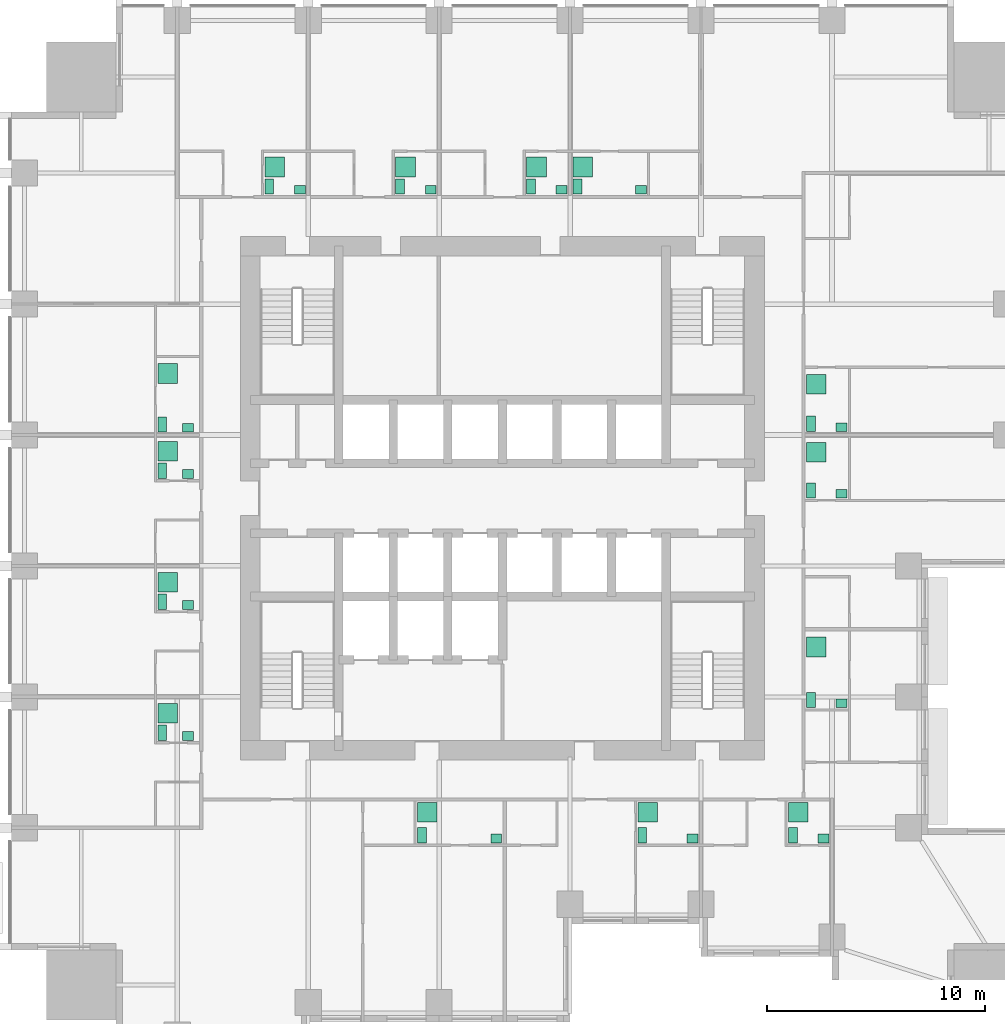
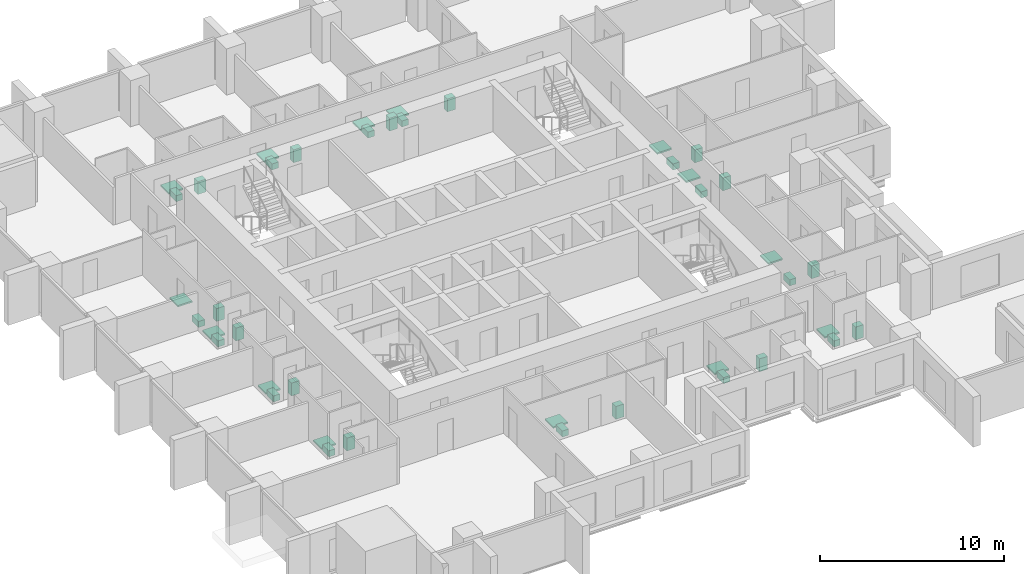
# One storey, part 10 of 10: 42 sanitary terminals.
"""IFC4 building model written with IfcOpenShell, lengths in metres."""

from ifc_helpers import new_model, si_unit, direction, frame, origin, origin_2d, place, context, subcontext, project, spatial, rectangle, extrude, element, save


model = new_model("IFC4")

# Units and contexts
model_context = context("Model", 3, precision=1e-05, world=origin(), true_north=direction((0.0, 1.0)))
body_context = subcontext(model_context, "Body", "Model", "MODEL_VIEW")
ifc_project = project(units=[si_unit("LENGTHUNIT", "METRE"), si_unit("AREAUNIT", "SQUARE_METRE"), si_unit("VOLUMEUNIT", "CUBIC_METRE"), si_unit("PLANEANGLEUNIT", "RADIAN"), si_unit("MASSUNIT", "GRAM", prefix="KILO")], contexts=[model_context])

# Site, building, storey
site_placement = place(None, origin())
site = spatial("IfcSite", under=ifc_project, at=site_placement, CompositionType="ELEMENT")
building_placement = place(site_placement, origin())
building = spatial("IfcBuilding", under=site, at=building_placement, Name="Amberfall Residences", CompositionType="ELEMENT")
storey_placement = place(building_placement, frame((0.0, 0.0, 26.800048828125)))
storey = spatial("IfcBuildingStorey", under=building, at=storey_placement, Name="L06", CompositionType="ELEMENT", Elevation=26.800048828125)

# Sanitary terminals
sanitary_terminal_1_placement = place(storey_placement, frame((70.81005859375, 30.06005859375, 0.0), z_axis=(0.0, 0.0, 1.0), x_axis=(1.0, 0.0, 0.0)))
element("IfcSanitaryTerminal", 1, at=sanitary_terminal_1_placement, inside=storey, Name="Water closet 0601", PredefinedType="TOILETPAN", context=body_context, shape_type="SweptSolid", body=[
    extrude(rectangle(XDim=0.39990234375, YDim=0.699951171875, at=origin_2d()), origin(), (0.0, 0.0, 1.0), 0.39990234375),
])
sanitary_terminal_2_placement = place(storey_placement, frame((74.215087890625, 29.909912109375, 0.0), z_axis=(0.0, 0.0, 1.0), x_axis=(1.0, 0.0, 0.0)))
element("IfcSanitaryTerminal", 2, at=sanitary_terminal_2_placement, inside=storey, Name="Basin 0601", PredefinedType="WASHHANDBASIN", context=body_context, shape_type="SweptSolid", body=[
    extrude(rectangle(XDim=0.5, YDim=0.39990234375, at=origin_2d()), origin(), (0.0, 0.0, 1.0), 0.85009765625),
])
sanitary_terminal_3_placement = place(storey_placement, frame((71.06005859375, 31.114990234375, 0.0), z_axis=(0.0, 0.0, 1.0), x_axis=(1.0, 0.0, 0.0)))
element("IfcSanitaryTerminal", 3, at=sanitary_terminal_3_placement, inside=storey, Name="Shower tray 0601", PredefinedType="SHOWER", context=body_context, shape_type="SweptSolid", body=[
    extrude(rectangle(XDim=0.89990234375, YDim=0.89990234375, at=origin_2d()), origin(), (0.0, 0.0, 1.0), 0.10009765625),
])
sanitary_terminal_4_placement = place(storey_placement, frame((80.909912109375, 30.06005859375, 0.0), z_axis=(0.0, 0.0, 1.0), x_axis=(1.0, 0.0, 0.0)))
element("IfcSanitaryTerminal", 4, at=sanitary_terminal_4_placement, inside=storey, Name="Water closet 0602", PredefinedType="TOILETPAN", context=body_context, shape_type="SweptSolid", body=[
    extrude(rectangle(XDim=0.39990234375, YDim=0.699951171875, at=origin_2d()), origin(), (0.0, 0.0, 1.0), 0.39990234375),
])
sanitary_terminal_5_placement = place(storey_placement, frame((83.215087890625, 29.909912109375, 0.0), z_axis=(0.0, 0.0, 1.0), x_axis=(1.0, 0.0, 0.0)))
element("IfcSanitaryTerminal", 5, at=sanitary_terminal_5_placement, inside=storey, Name="Basin 0602", PredefinedType="WASHHANDBASIN", context=body_context, shape_type="SweptSolid", body=[
    extrude(rectangle(XDim=0.5, YDim=0.39990234375, at=origin_2d()), origin(), (0.0, 0.0, 1.0), 0.85009765625),
])
sanitary_terminal_6_placement = place(storey_placement, frame((81.159912109375, 31.114990234375, 0.0), z_axis=(0.0, 0.0, 1.0), x_axis=(1.0, 0.0, 0.0)))
element("IfcSanitaryTerminal", 6, at=sanitary_terminal_6_placement, inside=storey, Name="Shower tray 0602", PredefinedType="SHOWER", context=body_context, shape_type="SweptSolid", body=[
    extrude(rectangle(XDim=0.89990234375, YDim=0.89990234375, at=origin_2d()), origin(), (0.0, 0.0, 1.0), 0.10009765625),
])
sanitary_terminal_7_placement = place(storey_placement, frame((87.81005859375, 30.06005859375, 0.0), z_axis=(0.0, 0.0, 1.0), x_axis=(1.0, 0.0, 0.0)))
element("IfcSanitaryTerminal", 7, at=sanitary_terminal_7_placement, inside=storey, Name="Water closet 0603", PredefinedType="TOILETPAN", context=body_context, shape_type="SweptSolid", body=[
    extrude(rectangle(XDim=0.39990234375, YDim=0.699951171875, at=origin_2d()), origin(), (0.0, 0.0, 1.0), 0.39990234375),
])
sanitary_terminal_8_placement = place(storey_placement, frame((89.215087890625, 29.909912109375, 0.0), z_axis=(0.0, 0.0, 1.0), x_axis=(1.0, 0.0, 0.0)))
element("IfcSanitaryTerminal", 8, at=sanitary_terminal_8_placement, inside=storey, Name="Basin 0603", PredefinedType="WASHHANDBASIN", context=body_context, shape_type="SweptSolid", body=[
    extrude(rectangle(XDim=0.5, YDim=0.39990234375, at=origin_2d()), origin(), (0.0, 0.0, 1.0), 0.85009765625),
])
sanitary_terminal_9_placement = place(storey_placement, frame((88.06005859375, 31.114990234375, 0.0), z_axis=(0.0, 0.0, 1.0), x_axis=(1.0, 0.0, 0.0)))
element("IfcSanitaryTerminal", 9, at=sanitary_terminal_9_placement, inside=storey, Name="Shower tray 0603", PredefinedType="SHOWER", context=body_context, shape_type="SweptSolid", body=[
    extrude(rectangle(XDim=0.89990234375, YDim=0.89990234375, at=origin_2d()), origin(), (0.0, 0.0, 1.0), 0.10009765625),
])
sanitary_terminal_10_placement = place(storey_placement, frame((88.635009765625, 36.260009765625, 0.0), z_axis=(0.0, 0.0, 1.0), x_axis=(1.0, 0.0, 0.0)))
element("IfcSanitaryTerminal", 10, at=sanitary_terminal_10_placement, inside=storey, Name="Water closet 0604", PredefinedType="TOILETPAN", context=body_context, shape_type="SweptSolid", body=[
    extrude(rectangle(XDim=0.39990234375, YDim=0.699951171875, at=origin_2d()), origin(), (0.0, 0.0, 1.0), 0.39990234375),
])
sanitary_terminal_11_placement = place(storey_placement, frame((90.0400390625, 36.110107421875, 0.0), z_axis=(0.0, 0.0, 1.0), x_axis=(1.0, 0.0, 0.0)))
element("IfcSanitaryTerminal", 11, at=sanitary_terminal_11_placement, inside=storey, Name="Basin 0604", PredefinedType="WASHHANDBASIN", context=body_context, shape_type="SweptSolid", body=[
    extrude(rectangle(XDim=0.5, YDim=0.39990234375, at=origin_2d()), origin(), (0.0, 0.0, 1.0), 0.85009765625),
])
sanitary_terminal_12_placement = place(storey_placement, frame((88.885009765625, 38.6826171875, 0.0), z_axis=(0.0, 0.0, 1.0), x_axis=(1.0, 0.0, 0.0)))
element("IfcSanitaryTerminal", 12, at=sanitary_terminal_12_placement, inside=storey, Name="Shower tray 0604", PredefinedType="SHOWER", context=body_context, shape_type="SweptSolid", body=[
    extrude(rectangle(XDim=0.89990234375, YDim=0.89990234375, at=origin_2d()), origin(), (0.0, 0.0, 1.0), 0.10009765625),
])
sanitary_terminal_13_placement = place(storey_placement, frame((88.635009765625, 45.860107421875, 0.0), z_axis=(0.0, 0.0, 1.0), x_axis=(1.0, 0.0, 0.0)))
element("IfcSanitaryTerminal", 13, at=sanitary_terminal_13_placement, inside=storey, Name="Water closet 0605", PredefinedType="TOILETPAN", context=body_context, shape_type="SweptSolid", body=[
    extrude(rectangle(XDim=0.39990234375, YDim=0.699951171875, at=origin_2d()), origin(), (0.0, 0.0, 1.0), 0.39990234375),
])
sanitary_terminal_14_placement = place(storey_placement, frame((90.0400390625, 45.7099609375, 0.0), z_axis=(0.0, 0.0, 1.0), x_axis=(1.0, 0.0, 0.0)))
element("IfcSanitaryTerminal", 14, at=sanitary_terminal_14_placement, inside=storey, Name="Basin 0605", PredefinedType="WASHHANDBASIN", context=body_context, shape_type="SweptSolid", body=[
    extrude(rectangle(XDim=0.5, YDim=0.39990234375, at=origin_2d()), origin(), (0.0, 0.0, 1.0), 0.85009765625),
])
sanitary_terminal_15_placement = place(storey_placement, frame((88.885009765625, 47.60888671875, 0.0), z_axis=(0.0, 0.0, 1.0), x_axis=(1.0, 0.0, 0.0)))
element("IfcSanitaryTerminal", 15, at=sanitary_terminal_15_placement, inside=storey, Name="Shower tray 0605", PredefinedType="SHOWER", context=body_context, shape_type="SweptSolid", body=[
    extrude(rectangle(XDim=0.89990234375, YDim=0.89990234375, at=origin_2d()), origin(), (0.0, 0.0, 1.0), 0.10009765625),
])
sanitary_terminal_16_placement = place(storey_placement, frame((88.635009765625, 48.909912109375, 0.0), z_axis=(0.0, 0.0, 1.0), x_axis=(1.0, 0.0, 0.0)))
element("IfcSanitaryTerminal", 16, at=sanitary_terminal_16_placement, inside=storey, Name="Water closet 0606", PredefinedType="TOILETPAN", context=body_context, shape_type="SweptSolid", body=[
    extrude(rectangle(XDim=0.39990234375, YDim=0.699951171875, at=origin_2d()), origin(), (0.0, 0.0, 1.0), 0.39990234375),
])
sanitary_terminal_17_placement = place(storey_placement, frame((90.0400390625, 48.760009765625, 0.0), z_axis=(0.0, 0.0, 1.0), x_axis=(1.0, 0.0, 0.0)))
element("IfcSanitaryTerminal", 17, at=sanitary_terminal_17_placement, inside=storey, Name="Basin 0606", PredefinedType="WASHHANDBASIN", context=body_context, shape_type="SweptSolid", body=[
    extrude(rectangle(XDim=0.5, YDim=0.39990234375, at=origin_2d()), origin(), (0.0, 0.0, 1.0), 0.85009765625),
])
sanitary_terminal_18_placement = place(storey_placement, frame((88.885009765625, 50.7255859375, 0.0), z_axis=(0.0, 0.0, 1.0), x_axis=(1.0, 0.0, 0.0)))
element("IfcSanitaryTerminal", 18, at=sanitary_terminal_18_placement, inside=storey, Name="Shower tray 0606", PredefinedType="SHOWER", context=body_context, shape_type="SweptSolid", body=[
    extrude(rectangle(XDim=0.89990234375, YDim=0.89990234375, at=origin_2d()), origin(), (0.0, 0.0, 1.0), 0.10009765625),
])
sanitary_terminal_19_placement = place(storey_placement, frame((63.81005859375, 59.784912109375, 0.0), z_axis=(0.0, 0.0, 1.0), x_axis=(1.0, 0.0, 0.0)))
element("IfcSanitaryTerminal", 19, at=sanitary_terminal_19_placement, inside=storey, Name="Water closet 0607", PredefinedType="TOILETPAN", context=body_context, shape_type="SweptSolid", body=[
    extrude(rectangle(XDim=0.39990234375, YDim=0.699951171875, at=origin_2d()), origin(), (0.0, 0.0, 1.0), 0.39990234375),
])
sanitary_terminal_20_placement = place(storey_placement, frame((65.215087890625, 59.635009765625, 0.0), z_axis=(0.0, 0.0, 1.0), x_axis=(1.0, 0.0, 0.0)))
element("IfcSanitaryTerminal", 20, at=sanitary_terminal_20_placement, inside=storey, Name="Basin 0607", PredefinedType="WASHHANDBASIN", context=body_context, shape_type="SweptSolid", body=[
    extrude(rectangle(XDim=0.5, YDim=0.39990234375, at=origin_2d()), origin(), (0.0, 0.0, 1.0), 0.85009765625),
])
sanitary_terminal_21_placement = place(storey_placement, frame((64.06005859375, 60.680908203125, 0.0), z_axis=(0.0, 0.0, 1.0), x_axis=(1.0, 0.0, 0.0)))
element("IfcSanitaryTerminal", 21, at=sanitary_terminal_21_placement, inside=storey, Name="Shower tray 0607", PredefinedType="SHOWER", context=body_context, shape_type="SweptSolid", body=[
    extrude(rectangle(XDim=0.89990234375, YDim=0.89990234375, at=origin_2d()), origin(), (0.0, 0.0, 1.0), 0.10009765625),
])
sanitary_terminal_22_placement = place(storey_placement, frame((69.81005859375, 59.784912109375, 0.0), z_axis=(0.0, 0.0, 1.0), x_axis=(1.0, 0.0, 0.0)))
element("IfcSanitaryTerminal", 22, at=sanitary_terminal_22_placement, inside=storey, Name="Water closet 0608", PredefinedType="TOILETPAN", context=body_context, shape_type="SweptSolid", body=[
    extrude(rectangle(XDim=0.39990234375, YDim=0.699951171875, at=origin_2d()), origin(), (0.0, 0.0, 1.0), 0.39990234375),
])
sanitary_terminal_23_placement = place(storey_placement, frame((71.215087890625, 59.635009765625, 0.0), z_axis=(0.0, 0.0, 1.0), x_axis=(1.0, 0.0, 0.0)))
element("IfcSanitaryTerminal", 23, at=sanitary_terminal_23_placement, inside=storey, Name="Basin 0608", PredefinedType="WASHHANDBASIN", context=body_context, shape_type="SweptSolid", body=[
    extrude(rectangle(XDim=0.5, YDim=0.39990234375, at=origin_2d()), origin(), (0.0, 0.0, 1.0), 0.85009765625),
])
sanitary_terminal_24_placement = place(storey_placement, frame((70.06005859375, 60.680908203125, 0.0), z_axis=(0.0, 0.0, 1.0), x_axis=(1.0, 0.0, 0.0)))
element("IfcSanitaryTerminal", 24, at=sanitary_terminal_24_placement, inside=storey, Name="Shower tray 0608", PredefinedType="SHOWER", context=body_context, shape_type="SweptSolid", body=[
    extrude(rectangle(XDim=0.89990234375, YDim=0.89990234375, at=origin_2d()), origin(), (0.0, 0.0, 1.0), 0.10009765625),
])
sanitary_terminal_25_placement = place(storey_placement, frame((75.81005859375, 59.784912109375, 0.0), z_axis=(0.0, 0.0, 1.0), x_axis=(1.0, 0.0, 0.0)))
element("IfcSanitaryTerminal", 25, at=sanitary_terminal_25_placement, inside=storey, Name="Water closet 0609", PredefinedType="TOILETPAN", context=body_context, shape_type="SweptSolid", body=[
    extrude(rectangle(XDim=0.39990234375, YDim=0.699951171875, at=origin_2d()), origin(), (0.0, 0.0, 1.0), 0.39990234375),
])
sanitary_terminal_26_placement = place(storey_placement, frame((77.215087890625, 59.635009765625, 0.0), z_axis=(0.0, 0.0, 1.0), x_axis=(1.0, 0.0, 0.0)))
element("IfcSanitaryTerminal", 26, at=sanitary_terminal_26_placement, inside=storey, Name="Basin 0609", PredefinedType="WASHHANDBASIN", context=body_context, shape_type="SweptSolid", body=[
    extrude(rectangle(XDim=0.5, YDim=0.39990234375, at=origin_2d()), origin(), (0.0, 0.0, 1.0), 0.85009765625),
])
sanitary_terminal_27_placement = place(storey_placement, frame((76.06005859375, 60.680908203125, 0.0), z_axis=(0.0, 0.0, 1.0), x_axis=(1.0, 0.0, 0.0)))
element("IfcSanitaryTerminal", 27, at=sanitary_terminal_27_placement, inside=storey, Name="Shower tray 0609", PredefinedType="SHOWER", context=body_context, shape_type="SweptSolid", body=[
    extrude(rectangle(XDim=0.89990234375, YDim=0.89990234375, at=origin_2d()), origin(), (0.0, 0.0, 1.0), 0.10009765625),
])
sanitary_terminal_28_placement = place(storey_placement, frame((77.93505859375, 59.784912109375, 0.0), z_axis=(0.0, 0.0, 1.0), x_axis=(1.0, 0.0, 0.0)))
element("IfcSanitaryTerminal", 28, at=sanitary_terminal_28_placement, inside=storey, Name="Water closet 0610", PredefinedType="TOILETPAN", context=body_context, shape_type="SweptSolid", body=[
    extrude(rectangle(XDim=0.39990234375, YDim=0.699951171875, at=origin_2d()), origin(), (0.0, 0.0, 1.0), 0.39990234375),
])
sanitary_terminal_29_placement = place(storey_placement, frame((80.840087890625, 59.635009765625, 0.0), z_axis=(0.0, 0.0, 1.0), x_axis=(1.0, 0.0, 0.0)))
element("IfcSanitaryTerminal", 29, at=sanitary_terminal_29_placement, inside=storey, Name="Basin 0610", PredefinedType="WASHHANDBASIN", context=body_context, shape_type="SweptSolid", body=[
    extrude(rectangle(XDim=0.5, YDim=0.39990234375, at=origin_2d()), origin(), (0.0, 0.0, 1.0), 0.85009765625),
])
sanitary_terminal_30_placement = place(storey_placement, frame((78.18505859375, 60.680908203125, 0.0), z_axis=(0.0, 0.0, 1.0), x_axis=(1.0, 0.0, 0.0)))
element("IfcSanitaryTerminal", 30, at=sanitary_terminal_30_placement, inside=storey, Name="Shower tray 0610", PredefinedType="SHOWER", context=body_context, shape_type="SweptSolid", body=[
    extrude(rectangle(XDim=0.89990234375, YDim=0.89990234375, at=origin_2d()), origin(), (0.0, 0.0, 1.0), 0.10009765625),
])
sanitary_terminal_31_placement = place(storey_placement, frame((58.909912109375, 34.760009765625, 0.0), z_axis=(0.0, 0.0, 1.0), x_axis=(1.0, 0.0, 0.0)))
element("IfcSanitaryTerminal", 31, at=sanitary_terminal_31_placement, inside=storey, Name="Water closet 0611", PredefinedType="TOILETPAN", context=body_context, shape_type="SweptSolid", body=[
    extrude(rectangle(XDim=0.39990234375, YDim=0.699951171875, at=origin_2d()), origin(), (0.0, 0.0, 1.0), 0.39990234375),
])
sanitary_terminal_32_placement = place(storey_placement, frame((60.089111328125, 34.610107421875, 0.0), z_axis=(0.0, 0.0, 1.0), x_axis=(1.0, 0.0, 0.0)))
element("IfcSanitaryTerminal", 32, at=sanitary_terminal_32_placement, inside=storey, Name="Basin 0611", PredefinedType="WASHHANDBASIN", context=body_context, shape_type="SweptSolid", body=[
    extrude(rectangle(XDim=0.5, YDim=0.39990234375, at=origin_2d()), origin(), (0.0, 0.0, 1.0), 0.85009765625),
])
sanitary_terminal_33_placement = place(storey_placement, frame((59.159912109375, 35.65576171875, 0.0), z_axis=(0.0, 0.0, 1.0), x_axis=(1.0, 0.0, 0.0)))
element("IfcSanitaryTerminal", 33, at=sanitary_terminal_33_placement, inside=storey, Name="Shower tray 0611", PredefinedType="SHOWER", context=body_context, shape_type="SweptSolid", body=[
    extrude(rectangle(XDim=0.89990234375, YDim=0.89990234375, at=origin_2d()), origin(), (0.0, 0.0, 1.0), 0.10009765625),
])
sanitary_terminal_34_placement = place(storey_placement, frame((58.909912109375, 40.760009765625, 0.0), z_axis=(0.0, 0.0, 1.0), x_axis=(1.0, 0.0, 0.0)))
element("IfcSanitaryTerminal", 34, at=sanitary_terminal_34_placement, inside=storey, Name="Water closet 0612", PredefinedType="TOILETPAN", context=body_context, shape_type="SweptSolid", body=[
    extrude(rectangle(XDim=0.39990234375, YDim=0.699951171875, at=origin_2d()), origin(), (0.0, 0.0, 1.0), 0.39990234375),
])
sanitary_terminal_35_placement = place(storey_placement, frame((60.089111328125, 40.610107421875, 0.0), z_axis=(0.0, 0.0, 1.0), x_axis=(1.0, 0.0, 0.0)))
element("IfcSanitaryTerminal", 35, at=sanitary_terminal_35_placement, inside=storey, Name="Basin 0612", PredefinedType="WASHHANDBASIN", context=body_context, shape_type="SweptSolid", body=[
    extrude(rectangle(XDim=0.5, YDim=0.39990234375, at=origin_2d()), origin(), (0.0, 0.0, 1.0), 0.85009765625),
])
sanitary_terminal_36_placement = place(storey_placement, frame((59.159912109375, 41.65576171875, 0.0), z_axis=(0.0, 0.0, 1.0), x_axis=(1.0, 0.0, 0.0)))
element("IfcSanitaryTerminal", 36, at=sanitary_terminal_36_placement, inside=storey, Name="Shower tray 0612", PredefinedType="SHOWER", context=body_context, shape_type="SweptSolid", body=[
    extrude(rectangle(XDim=0.89990234375, YDim=0.89990234375, at=origin_2d()), origin(), (0.0, 0.0, 1.0), 0.10009765625),
])
sanitary_terminal_37_placement = place(storey_placement, frame((58.909912109375, 46.760009765625, 0.0), z_axis=(0.0, 0.0, 1.0), x_axis=(1.0, 0.0, 0.0)))
element("IfcSanitaryTerminal", 37, at=sanitary_terminal_37_placement, inside=storey, Name="Water closet 0613", PredefinedType="TOILETPAN", context=body_context, shape_type="SweptSolid", body=[
    extrude(rectangle(XDim=0.39990234375, YDim=0.699951171875, at=origin_2d()), origin(), (0.0, 0.0, 1.0), 0.39990234375),
])
sanitary_terminal_38_placement = place(storey_placement, frame((60.089111328125, 46.610107421875, 0.0), z_axis=(0.0, 0.0, 1.0), x_axis=(1.0, 0.0, 0.0)))
element("IfcSanitaryTerminal", 38, at=sanitary_terminal_38_placement, inside=storey, Name="Basin 0613", PredefinedType="WASHHANDBASIN", context=body_context, shape_type="SweptSolid", body=[
    extrude(rectangle(XDim=0.5, YDim=0.39990234375, at=origin_2d()), origin(), (0.0, 0.0, 1.0), 0.85009765625),
])
sanitary_terminal_39_placement = place(storey_placement, frame((59.159912109375, 47.65576171875, 0.0), z_axis=(0.0, 0.0, 1.0), x_axis=(1.0, 0.0, 0.0)))
element("IfcSanitaryTerminal", 39, at=sanitary_terminal_39_placement, inside=storey, Name="Shower tray 0613", PredefinedType="SHOWER", context=body_context, shape_type="SweptSolid", body=[
    extrude(rectangle(XDim=0.89990234375, YDim=0.89990234375, at=origin_2d()), origin(), (0.0, 0.0, 1.0), 0.10009765625),
])
sanitary_terminal_40_placement = place(storey_placement, frame((58.909912109375, 48.885009765625, 0.0), z_axis=(0.0, 0.0, 1.0), x_axis=(1.0, 0.0, 0.0)))
element("IfcSanitaryTerminal", 40, at=sanitary_terminal_40_placement, inside=storey, Name="Water closet 0614", PredefinedType="TOILETPAN", context=body_context, shape_type="SweptSolid", body=[
    extrude(rectangle(XDim=0.39990234375, YDim=0.699951171875, at=origin_2d()), origin(), (0.0, 0.0, 1.0), 0.39990234375),
])
sanitary_terminal_41_placement = place(storey_placement, frame((60.089111328125, 48.735107421875, 0.0), z_axis=(0.0, 0.0, 1.0), x_axis=(1.0, 0.0, 0.0)))
element("IfcSanitaryTerminal", 41, at=sanitary_terminal_41_placement, inside=storey, Name="Basin 0614", PredefinedType="WASHHANDBASIN", context=body_context, shape_type="SweptSolid", body=[
    extrude(rectangle(XDim=0.5, YDim=0.39990234375, at=origin_2d()), origin(), (0.0, 0.0, 1.0), 0.85009765625),
])
sanitary_terminal_42_placement = place(storey_placement, frame((59.159912109375, 51.216796875, 0.0), z_axis=(0.0, 0.0, 1.0), x_axis=(1.0, 0.0, 0.0)))
element("IfcSanitaryTerminal", 42, at=sanitary_terminal_42_placement, inside=storey, Name="Shower tray 0614", PredefinedType="SHOWER", context=body_context, shape_type="SweptSolid", body=[
    extrude(rectangle(XDim=0.89990234375, YDim=0.89990234375, at=origin_2d()), origin(), (0.0, 0.0, 1.0), 0.10009765625),
])

save(model, "model.ifc")
